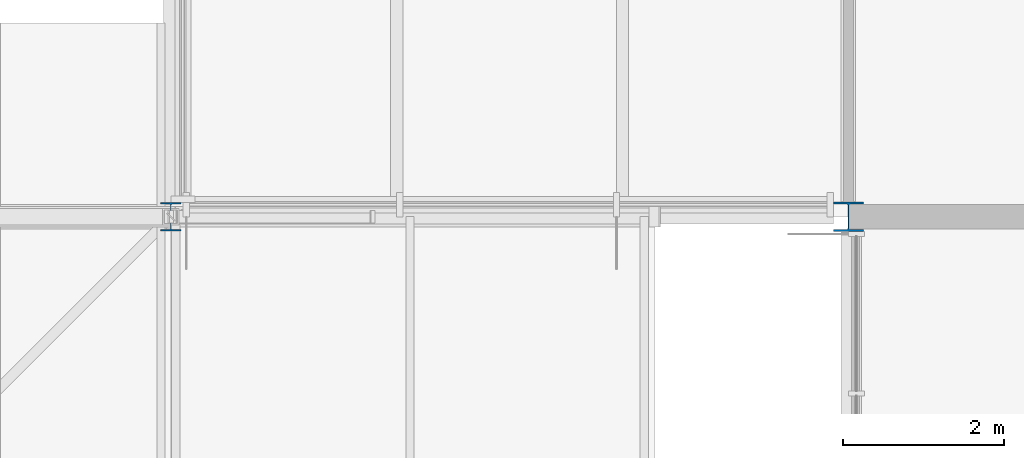
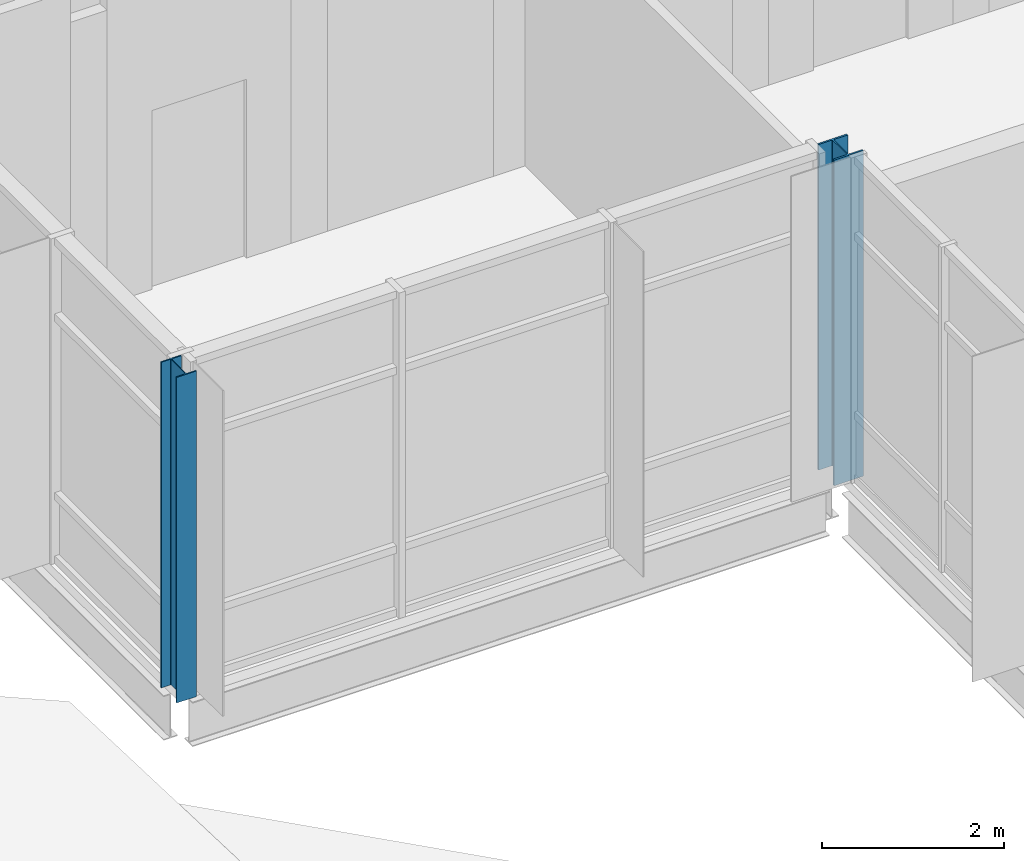
# One storey, part 4 of 76: 2 columns.
"""IFC4 building model written with IfcOpenShell, lengths in metres."""

from ifc_helpers import new_model, si_unit, direction, frame, origin, origin_2d, place, context, subcontext, project, spatial, i_section, extrude, material, material_profile, profile_set, type_object, element, save


model = new_model("IFC4")

# Units and contexts
model_context = context("Model", 3, precision=1e-05, world=origin(), true_north=direction((0.0, 1.0)))
body_context = subcontext(model_context, "Body", "Model", "MODEL_VIEW")
ifc_project = project(units=[si_unit("LENGTHUNIT", "METRE"), si_unit("AREAUNIT", "SQUARE_METRE"), si_unit("VOLUMEUNIT", "CUBIC_METRE"), si_unit("PLANEANGLEUNIT", "RADIAN"), si_unit("MASSUNIT", "GRAM", prefix="KILO")], contexts=[model_context])

# Site, building, storey
site_placement = place(None, origin())
site = spatial("IfcSite", under=ifc_project, at=site_placement, CompositionType="ELEMENT")
building_placement = place(site_placement, origin())
building = spatial("IfcBuilding", under=site, at=building_placement, Name="Hlaing Beacon Police Headquarters", CompositionType="ELEMENT")
storey_placement = place(building_placement, frame((0.0, 0.0, 18.89990234375)))
storey = spatial("IfcBuildingStorey", under=building, at=storey_placement, Name="L04", CompositionType="ELEMENT", Elevation=18.89990234375)

# Columns
ifc_material_1 = material(Name="Steel ASTM A992 Grade 50", Category="steel")
ifc_material_profile_1 = material_profile(ifc_material_1, i_section(OverallWidth=0.373291015625, OverallDepth=0.368408203125, WebThickness=0.014892578125, FlangeThickness=0.02392578125, FilletRadius=0.01513671875, at=origin_2d()), Name="W14x120")
ifc_profile_set_1 = profile_set([ifc_material_profile_1], Name="Steel ASTM A992 Grade 50")
column_type_1 = type_object("IfcColumnType", Name="Steel column W14x120", PredefinedType="COLUMN", material=ifc_profile_set_1)
column_1_placement = place(storey_placement, frame((100.800048828125, 67.199951171875, 0.0), z_axis=(0.0, 0.0, 1.0), x_axis=(1.0, 0.0, 0.0)))
element("IfcColumn", 1, at=column_1_placement, inside=storey, type_object=column_type_1, Name="STR-COL-L04-N9", PredefinedType="COLUMN", context=body_context, shape_type="SweptSolid", body=[
    extrude(i_section(OverallWidth=0.373291015625, OverallDepth=0.368408203125, WebThickness=0.014892578125, FlangeThickness=0.02392578125, FilletRadius=0.01513671875, at=origin_2d()), origin(), (0.0, 0.0, 1.0), 4.3701171875),
])
ifc_material_2 = material(Name="Steel ASTM A992 Grade 50", Category="steel")
ifc_material_profile_2 = material_profile(ifc_material_2, i_section(OverallWidth=0.25390625, OverallDepth=0.35302734375, WebThickness=0.009521484375, FlangeThickness=0.016357421875, FilletRadius=0.01513671875, at=origin_2d()), Name="W14x61")
ifc_profile_set_2 = profile_set([ifc_material_profile_2], Name="Steel ASTM A992 Grade 50")
column_type_2 = type_object("IfcColumnType", Name="Steel column W14x61", PredefinedType="COLUMN", material=ifc_profile_set_2)
column_2_placement = place(storey_placement, frame((92.39990234375, 67.199951171875, 0.0), z_axis=(0.0, 0.0, 1.0), x_axis=(1.0, 0.0, 0.0)))
element("IfcColumn", 2, at=column_2_placement, inside=storey, type_object=column_type_2, Name="STR-COL-L04-M9", PredefinedType="COLUMN", context=body_context, shape_type="SweptSolid", body=[
    extrude(i_section(OverallWidth=0.25390625, OverallDepth=0.35302734375, WebThickness=0.009521484375, FlangeThickness=0.016357421875, FilletRadius=0.01513671875, at=origin_2d()), origin(), (0.0, 0.0, 1.0), 4.3701171875),
])

save(model, "model.ifc")
